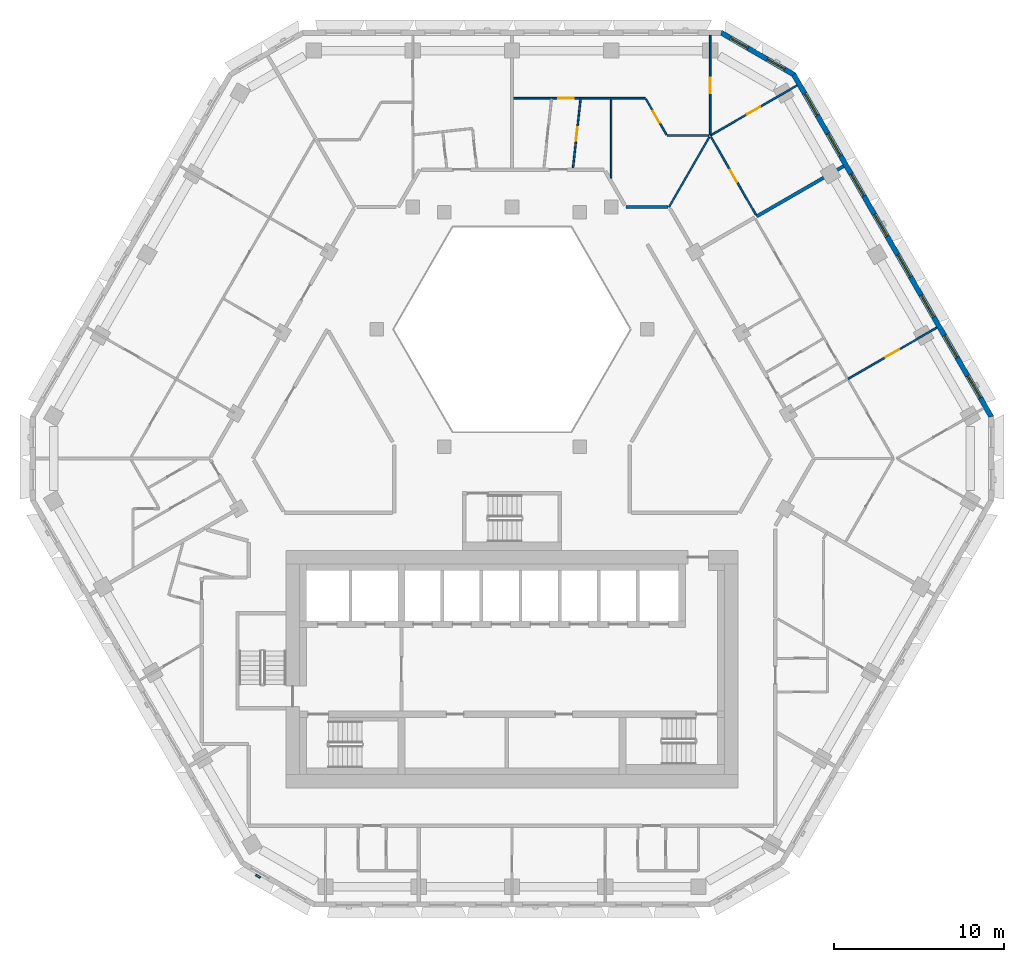
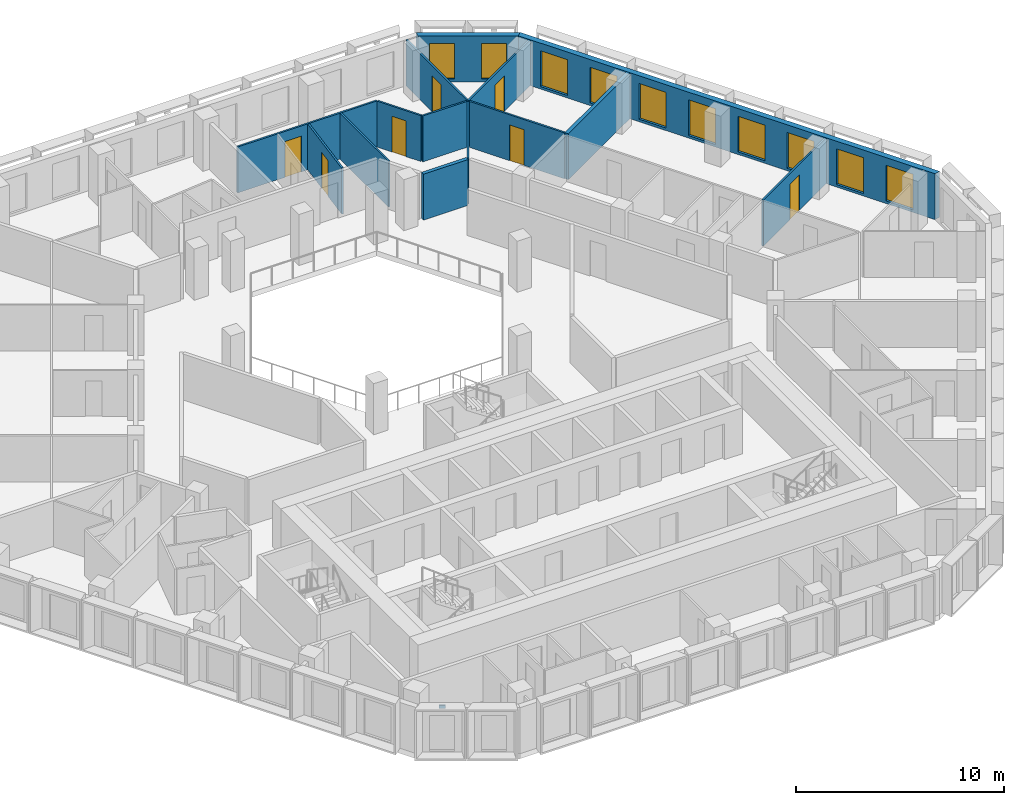
# One storey, part 9 of 17: 14 walls, 10 windows, 7 doors, 1 discrete accessory, 17 openings.
"""IFC4 building model written with IfcOpenShell, lengths in metres."""

from ifc_helpers import new_model, si_unit, direction, frame, frame_2d, origin, place, context, subcontext, project, spatial, polyline, rectangle, outline, extrude, source, transform, mapped, material, layer, layer_set, type_object, type_shapes, element, fill, save


model = new_model("IFC4")

# Units and contexts
model_context = context("Model", 3, precision=1e-05, world=origin(), true_north=direction((0.0, 1.0)))
body_context = subcontext(model_context, "Body", "Model", "MODEL_VIEW")
ifc_project = project(units=[si_unit("LENGTHUNIT", "METRE"), si_unit("AREAUNIT", "SQUARE_METRE"), si_unit("VOLUMEUNIT", "CUBIC_METRE"), si_unit("PLANEANGLEUNIT", "RADIAN"), si_unit("MASSUNIT", "GRAM", prefix="KILO")], contexts=[model_context])

# Site, building, storey
site_placement = place(None, origin())
site = spatial("IfcSite", under=ifc_project, at=site_placement, CompositionType="ELEMENT")
building_placement = place(site_placement, origin())
building = spatial("IfcBuilding", under=site, at=building_placement, Name="Beryl Residences", CompositionType="ELEMENT")
storey_placement = place(building_placement, frame((0.0, 0.0, 144.60009765625)))
storey = spatial("IfcBuildingStorey", under=building, at=storey_placement, Name="L44", CompositionType="ELEMENT", Elevation=144.60009765625)

# Wall, openings, windows
ifc_material_1 = material(Name="Composite metal panel with mineral wool insulation")
ifc_layer_1 = layer(ifc_material_1, 0.300048828125)
ifc_layer_set_1 = layer_set([ifc_layer_1], Name="ES1 pale metal composite panel wall 300 mm")
wall_type_1 = type_object("IfcWallType", Name="ES1 pale metal composite panel wall 300 mm", PredefinedType="SOLIDWALL", material=ifc_layer_set_1)
wall_1_placement = place(storey_placement, frame((28.218017578125, 2.824951171875, 0.0), z_axis=(0.0, 0.0, 1.0), x_axis=(-0.500020536353, 0.866013546791, 0.0)))
wall_1 = element("IfcWall", 1, at=wall_1_placement, inside=storey, type_object=wall_type_1, Name="ES1 external wall L44 NE", PredefinedType="SOLIDWALL", context=body_context, shape_type="SweptSolid", body=[
    extrude(outline(polyline([(0.0, -0.14990234375), (23.3251953125, -0.14990234375), (23.244873046875, 0.14990234375), (0.080322265625, 0.14990234375), (0.0, -0.14990234375)])), origin(), (0.0, 0.0, 1.0), 2.699951171875),
])
opening_1_placement = place(wall_1_placement, frame((1.31396484375, 0.0, 0.14990234375)))
opening_1 = element("IfcOpeningElement", 2, at=opening_1_placement, cuts=wall_1, Name="Opening W1", PredefinedType="OPENING", context=body_context, shape_type="SweptSolid", body=[
    extrude(rectangle(XDim=1.5, YDim=2.10009765625, at=frame_2d((0.75, 1.050048828125))), frame((0.0, 0.159912109375, 0.0), z_axis=(0.0, -1.0, 0.0), x_axis=(1.0, 0.0, 0.0)), (0.0, 0.0, 1.0), 0.320068359375),
])
opening_2_placement = place(wall_1_placement, frame((4.055908203125, 0.0, 0.14990234375)))
opening_2 = element("IfcOpeningElement", 3, at=opening_2_placement, cuts=wall_1, Name="Opening W1", PredefinedType="OPENING", context=body_context, shape_type="SweptSolid", body=[
    extrude(rectangle(XDim=1.5, YDim=2.10009765625, at=frame_2d((0.75, 1.050048828125))), frame((0.0, 0.159912109375, 0.0), z_axis=(0.0, -1.0, 0.0), x_axis=(1.0, 0.0, 0.0)), (0.0, 0.0, 1.0), 0.320068359375),
])
opening_3_placement = place(wall_1_placement, frame((6.798095703125, 0.0, 0.14990234375)))
opening_3 = element("IfcOpeningElement", 4, at=opening_3_placement, cuts=wall_1, Name="Opening W1", PredefinedType="OPENING", context=body_context, shape_type="SweptSolid", body=[
    extrude(rectangle(XDim=1.5, YDim=2.10009765625, at=frame_2d((0.75, 1.050048828125))), frame((0.0, 0.159912109375, 0.0), z_axis=(0.0, -1.0, 0.0), x_axis=(1.0, 0.0, 0.0)), (0.0, 0.0, 1.0), 0.320068359375),
])
opening_4_placement = place(wall_1_placement, frame((9.541015625, 0.0, 0.14990234375)))
opening_4 = element("IfcOpeningElement", 5, at=opening_4_placement, cuts=wall_1, Name="Opening W1", PredefinedType="OPENING", context=body_context, shape_type="SweptSolid", body=[
    extrude(rectangle(XDim=1.5, YDim=2.10009765625, at=frame_2d((0.75, 1.050048828125))), frame((0.0, 0.159912109375, 0.0), z_axis=(0.0, -1.0, 0.0), x_axis=(1.0, 0.0, 0.0)), (0.0, 0.0, 1.0), 0.320068359375),
])
opening_5_placement = place(wall_1_placement, frame((12.283935546875, 0.0, 0.14990234375)))
opening_5 = element("IfcOpeningElement", 6, at=opening_5_placement, cuts=wall_1, Name="Opening W1", PredefinedType="OPENING", context=body_context, shape_type="SweptSolid", body=[
    extrude(rectangle(XDim=1.5, YDim=2.10009765625, at=frame_2d((0.75, 1.050048828125))), frame((0.0, 0.159912109375, 0.0), z_axis=(0.0, -1.0, 0.0), x_axis=(1.0, 0.0, 0.0)), (0.0, 0.0, 1.0), 0.320068359375),
])
opening_6_placement = place(wall_1_placement, frame((15.027099609375, 0.0, 0.14990234375)))
opening_6 = element("IfcOpeningElement", 7, at=opening_6_placement, cuts=wall_1, Name="Opening W1", PredefinedType="OPENING", context=body_context, shape_type="SweptSolid", body=[
    extrude(rectangle(XDim=1.5, YDim=2.10009765625, at=frame_2d((0.75, 1.050048828125))), frame((0.0, 0.159912109375, 0.0), z_axis=(0.0, -1.0, 0.0), x_axis=(1.0, 0.0, 0.0)), (0.0, 0.0, 1.0), 0.320068359375),
])
opening_7_placement = place(wall_1_placement, frame((17.76904296875, 0.0, 0.14990234375)))
opening_7 = element("IfcOpeningElement", 8, at=opening_7_placement, cuts=wall_1, Name="Opening W1", PredefinedType="OPENING", context=body_context, shape_type="SweptSolid", body=[
    extrude(rectangle(XDim=1.5, YDim=2.10009765625, at=frame_2d((0.75, 1.050048828125))), frame((0.0, 0.159912109375, 0.0), z_axis=(0.0, -1.0, 0.0), x_axis=(1.0, 0.0, 0.0)), (0.0, 0.0, 1.0), 0.320068359375),
])
opening_8_placement = place(wall_1_placement, frame((20.510986328125, 0.0, 0.14990234375)))
opening_8 = element("IfcOpeningElement", 9, at=opening_8_placement, cuts=wall_1, Name="Opening W1", PredefinedType="OPENING", context=body_context, shape_type="SweptSolid", body=[
    extrude(rectangle(XDim=1.5, YDim=2.10009765625, at=frame_2d((0.75, 1.050048828125))), frame((0.0, 0.159912109375, 0.0), z_axis=(0.0, -1.0, 0.0), x_axis=(1.0, 0.0, 0.0)), (0.0, 0.0, 1.0), 0.320068359375),
])
ifc_material_2 = material(Name="Aluminium and clear glass", Category="aluminium")
window_type_1 = type_object("IfcWindowType", Name="W1 cell window 1500 x 2100 mm", PartitioningType="SINGLE_PANEL", PredefinedType="WINDOW", material=ifc_material_2)
window_1_placement = place(opening_1_placement, origin())
window_1 = element("IfcWindow", 10, at=window_1_placement, inside=storey, type_object=window_type_1, Name="W1 window L44 NE 1", OverallHeight=2.10009765625, OverallWidth=1.5, PartitioningType="SINGLE_PANEL", PredefinedType="WINDOW", context=body_context, shape_type="SweptSolid", body=[
    extrude(rectangle(XDim=1.5, YDim=2.10009765625, at=frame_2d((0.75, 1.050048828125))), frame((0.0, 0.030029296875, 0.0), z_axis=(0.0, -1.0, 0.0), x_axis=(1.0, 0.0, 0.0)), (0.0, 0.0, 1.0), 0.06005859375),
])
fill(opening_1, window_1)
window_2_placement = place(opening_2_placement, origin())
window_2 = element("IfcWindow", 11, at=window_2_placement, inside=storey, type_object=window_type_1, Name="W1 window L44 NE 2", OverallHeight=2.10009765625, OverallWidth=1.5, PartitioningType="SINGLE_PANEL", PredefinedType="WINDOW", context=body_context, shape_type="SweptSolid", body=[
    extrude(rectangle(XDim=1.5, YDim=2.10009765625, at=frame_2d((0.75, 1.050048828125))), frame((0.0, 0.030029296875, 0.0), z_axis=(0.0, -1.0, 0.0), x_axis=(1.0, 0.0, 0.0)), (0.0, 0.0, 1.0), 0.06005859375),
])
fill(opening_2, window_2)
window_3_placement = place(opening_3_placement, origin())
window_3 = element("IfcWindow", 12, at=window_3_placement, inside=storey, type_object=window_type_1, Name="W1 window L44 NE 3", OverallHeight=2.10009765625, OverallWidth=1.5, PartitioningType="SINGLE_PANEL", PredefinedType="WINDOW", context=body_context, shape_type="SweptSolid", body=[
    extrude(rectangle(XDim=1.5, YDim=2.10009765625, at=frame_2d((0.75, 1.050048828125))), frame((0.0, 0.030029296875, 0.0), z_axis=(0.0, -1.0, 0.0), x_axis=(1.0, 0.0, 0.0)), (0.0, 0.0, 1.0), 0.06005859375),
])
fill(opening_3, window_3)
window_4_placement = place(opening_4_placement, origin())
window_4 = element("IfcWindow", 13, at=window_4_placement, inside=storey, type_object=window_type_1, Name="W1 window L44 NE 4", OverallHeight=2.10009765625, OverallWidth=1.5, PartitioningType="SINGLE_PANEL", PredefinedType="WINDOW", context=body_context, shape_type="SweptSolid", body=[
    extrude(rectangle(XDim=1.5, YDim=2.10009765625, at=frame_2d((0.75, 1.050048828125))), frame((0.0, 0.030029296875, 0.0), z_axis=(0.0, -1.0, 0.0), x_axis=(1.0, 0.0, 0.0)), (0.0, 0.0, 1.0), 0.06005859375),
])
fill(opening_4, window_4)
window_5_placement = place(opening_5_placement, origin())
window_5 = element("IfcWindow", 14, at=window_5_placement, inside=storey, type_object=window_type_1, Name="W1 window L44 NE 5", OverallHeight=2.10009765625, OverallWidth=1.5, PartitioningType="SINGLE_PANEL", PredefinedType="WINDOW", context=body_context, shape_type="SweptSolid", body=[
    extrude(rectangle(XDim=1.5, YDim=2.10009765625, at=frame_2d((0.75, 1.050048828125))), frame((0.0, 0.030029296875, 0.0), z_axis=(0.0, -1.0, 0.0), x_axis=(1.0, 0.0, 0.0)), (0.0, 0.0, 1.0), 0.06005859375),
])
fill(opening_5, window_5)
window_6_placement = place(opening_6_placement, origin())
window_6 = element("IfcWindow", 15, at=window_6_placement, inside=storey, type_object=window_type_1, Name="W1 window L44 NE 6", OverallHeight=2.10009765625, OverallWidth=1.5, PartitioningType="SINGLE_PANEL", PredefinedType="WINDOW", context=body_context, shape_type="SweptSolid", body=[
    extrude(rectangle(XDim=1.5, YDim=2.10009765625, at=frame_2d((0.75, 1.050048828125))), frame((0.0, 0.030029296875, 0.0), z_axis=(0.0, -1.0, 0.0), x_axis=(1.0, 0.0, 0.0)), (0.0, 0.0, 1.0), 0.06005859375),
])
fill(opening_6, window_6)
window_7_placement = place(opening_7_placement, origin())
window_7 = element("IfcWindow", 16, at=window_7_placement, inside=storey, type_object=window_type_1, Name="W1 window L44 NE 7", OverallHeight=2.10009765625, OverallWidth=1.5, PartitioningType="SINGLE_PANEL", PredefinedType="WINDOW", context=body_context, shape_type="SweptSolid", body=[
    extrude(rectangle(XDim=1.5, YDim=2.10009765625, at=frame_2d((0.75, 1.050048828125))), frame((0.0, 0.030029296875, 0.0), z_axis=(0.0, -1.0, 0.0), x_axis=(1.0, 0.0, 0.0)), (0.0, 0.0, 1.0), 0.06005859375),
])
fill(opening_7, window_7)
window_8_placement = place(opening_8_placement, origin())
window_8 = element("IfcWindow", 17, at=window_8_placement, inside=storey, type_object=window_type_1, Name="W1 window L44 NE 8", OverallHeight=2.10009765625, OverallWidth=1.5, PartitioningType="SINGLE_PANEL", PredefinedType="WINDOW", context=body_context, shape_type="SweptSolid", body=[
    extrude(rectangle(XDim=1.5, YDim=2.10009765625, at=frame_2d((0.75, 1.050048828125))), frame((0.0, 0.030029296875, 0.0), z_axis=(0.0, -1.0, 0.0), x_axis=(1.0, 0.0, 0.0)), (0.0, 0.0, 1.0), 0.06005859375),
])
fill(opening_8, window_8)

wall_2_placement = place(storey_placement, frame((16.610107421875, 22.969970703125, 0.0), z_axis=(0.0, 0.0, 1.0), x_axis=(-0.866022959057, 0.500004234368, 0.0)))
wall_2 = element("IfcWall", 18, at=wall_2_placement, inside=storey, type_object=wall_type_1, Name="ES1 external wall L44 NE-N", PredefinedType="SOLIDWALL", context=body_context, shape_type="SweptSolid", body=[
    extrude(outline(polyline([(0.0, -0.14990234375), (5.0, -0.14990234375), (4.919677734375, 0.14990234375), (0.080322265625, 0.14990234375), (0.0, -0.14990234375)])), origin(), (0.0, 0.0, 1.0), 2.699951171875),
])
opening_9_placement = place(wall_2_placement, frame((0.64990234375, 0.0, 0.14990234375)))
opening_9 = element("IfcOpeningElement", 19, at=opening_9_placement, cuts=wall_2, Name="Opening W2", PredefinedType="OPENING", context=body_context, shape_type="SweptSolid", body=[
    extrude(rectangle(XDim=1.199951171875, YDim=2.10009765625, at=frame_2d((0.60009765625, 1.050048828125))), frame((0.0, 0.159912109375, 0.0), z_axis=(0.0, -1.0, 0.0), x_axis=(1.0, 0.0, 0.0)), (0.0, 0.0, 1.0), 0.320068359375),
])
opening_10_placement = place(wall_2_placement, frame((3.14990234375, 0.0, 0.14990234375)))
opening_10 = element("IfcOpeningElement", 20, at=opening_10_placement, cuts=wall_2, Name="Opening W2", PredefinedType="OPENING", context=body_context, shape_type="SweptSolid", body=[
    extrude(rectangle(XDim=1.199951171875, YDim=2.10009765625, at=frame_2d((0.60009765625, 1.050048828125))), frame((0.0, 0.159912109375, 0.0), z_axis=(0.0, -1.0, 0.0), x_axis=(1.0, 0.0, 0.0)), (0.0, 0.0, 1.0), 0.320068359375),
])
ifc_material_3 = material(Name="Aluminium and clear glass", Category="aluminium")
window_type_2 = type_object("IfcWindowType", Name="W2 chamfer window 1200 x 2100 mm", PartitioningType="SINGLE_PANEL", PredefinedType="WINDOW", material=ifc_material_3)
window_9_placement = place(opening_9_placement, origin())
window_9 = element("IfcWindow", 21, at=window_9_placement, inside=storey, type_object=window_type_2, Name="W2 window L44 NE-N 1", OverallHeight=2.10009765625, OverallWidth=1.199951171875, PartitioningType="SINGLE_PANEL", PredefinedType="WINDOW", context=body_context, shape_type="SweptSolid", body=[
    extrude(rectangle(XDim=1.199951171875, YDim=2.10009765625, at=frame_2d((0.60009765625, 1.050048828125))), frame((0.0, 0.030029296875, 0.0), z_axis=(0.0, -1.0, 0.0), x_axis=(1.0, 0.0, 0.0)), (0.0, 0.0, 1.0), 0.06005859375),
])
fill(opening_9, window_9)
window_10_placement = place(opening_10_placement, origin())
window_10 = element("IfcWindow", 22, at=window_10_placement, inside=storey, type_object=window_type_2, Name="W2 window L44 NE-N 2", OverallHeight=2.10009765625, OverallWidth=1.199951171875, PartitioningType="SINGLE_PANEL", PredefinedType="WINDOW", context=body_context, shape_type="SweptSolid", body=[
    extrude(rectangle(XDim=1.199951171875, YDim=2.10009765625, at=frame_2d((0.60009765625, 1.050048828125))), frame((0.0, 0.030029296875, 0.0), z_axis=(0.0, -1.0, 0.0), x_axis=(1.0, 0.0, 0.0)), (0.0, 0.0, 1.0), 0.06005859375),
])
fill(opening_10, window_10)

# Wall, opening, door
ifc_material_4 = material(Name="Gypsum board partition on steel studs", Category="steel")
ifc_layer_2 = layer(ifc_material_4, 0.10009765625)
ifc_layer_set_2 = layer_set([ifc_layer_2], Name="PT1 partition 100 mm gypsum board on steel studs")
wall_type_2 = type_object("IfcWallType", Name="PT1 partition 100 mm gypsum board on steel studs", PredefinedType="PARTITIONING", material=ifc_layer_set_2)
wall_3_placement = place(storey_placement, frame((7.881103515625, 21.550048828125, 0.0), z_axis=(0.0, 0.0, 1.0), x_axis=(0.499821239653, -0.866128586522, 0.0)))
wall_3 = element("IfcWall", 23, at=wall_3_placement, inside=storey, type_object=wall_type_2, Name="Wall PT1 L44 002", PredefinedType="PARTITIONING", context=body_context, shape_type="SweptSolid", body=[
    extrude(rectangle(XDim=2.4248046875, YDim=0.10009765625, at=frame_2d((1.21240234375, 0.0))), origin(), (0.0, 0.0, 1.0), 2.699951171875),
])
opening_11_placement = place(wall_3_placement, frame((0.81201171875, 0.0, 0.0)))
opening_11 = element("IfcOpeningElement", 24, at=opening_11_placement, cuts=wall_3, Name="Opening D1135", PredefinedType="OPENING", context=body_context, shape_type="SweptSolid", body=[
    extrude(rectangle(XDim=0.800048828125, YDim=2.10009765625, at=frame_2d((0.39990234375, 1.050048828125))), frame((0.0, 0.06005859375, 0.0), z_axis=(0.0, -1.0, 0.0), x_axis=(1.0, 0.0, 0.0)), (0.0, 0.0, 1.0), 0.1201171875),
])
ifc_material_5 = material(Name="Timber door leaf", Category="wood")
door_type_1 = type_object("IfcDoorType", Name="D3 bathroom door 800 x 2100 mm", OperationType="SINGLE_SWING_LEFT", PredefinedType="DOOR", material=ifc_material_5)
door_1_placement = place(opening_11_placement, origin())
door_1 = element("IfcDoor", 25, at=door_1_placement, inside=storey, type_object=door_type_1, Name="Door D1135 L44 001", OperationType="SINGLE_SWING_LEFT", OverallHeight=2.10009765625, OverallWidth=0.800048828125, PredefinedType="DOOR", context=body_context, shape_type="SweptSolid", body=[
    extrude(rectangle(XDim=0.800048828125, YDim=2.10009765625, at=frame_2d((0.39990234375, 1.050048828125))), frame((0.0, 0.02490234375, 0.0), z_axis=(0.0, -1.0, 0.0), x_axis=(1.0, 0.0, 0.0)), (0.0, 0.0, 1.0), 0.050048828125),
])
fill(opening_11, door_1)

wall_4_placement = place(storey_placement, frame((11.712890625, 19.31298828125, 0.0), z_axis=(0.0, 0.0, 1.0), x_axis=(0.499945064984, -0.866057118208, 0.0)))
wall_4 = element("IfcWall", 26, at=wall_4_placement, inside=storey, type_object=wall_type_2, Name="Wall PT1 L44 004", PredefinedType="PARTITIONING", context=body_context, shape_type="SweptSolid", body=[
    extrude(rectangle(XDim=5.28466796875, YDim=0.10009765625, at=frame_2d((2.642333984375, 0.0))), origin(), (0.0, 0.0, 1.0), 2.699951171875),
])
opening_12_placement = place(wall_4_placement, frame((2.241943359375, 0.0, 0.0)))
opening_12 = element("IfcOpeningElement", 27, at=opening_12_placement, cuts=wall_4, Name="Opening D1137", PredefinedType="OPENING", context=body_context, shape_type="SweptSolid", body=[
    extrude(rectangle(XDim=0.800048828125, YDim=2.10009765625, at=frame_2d((0.39990234375, 1.050048828125))), frame((0.0, 0.06005859375, 0.0), z_axis=(0.0, -1.0, 0.0), x_axis=(1.0, 0.0, 0.0)), (0.0, 0.0, 1.0), 0.1201171875),
])
door_2_placement = place(opening_12_placement, origin())
door_2 = element("IfcDoor", 28, at=door_2_placement, inside=storey, type_object=door_type_1, Name="Door D1137 L44 001", OperationType="SINGLE_SWING_LEFT", OverallHeight=2.10009765625, OverallWidth=0.800048828125, PredefinedType="DOOR", context=body_context, shape_type="SweptSolid", body=[
    extrude(rectangle(XDim=0.800048828125, YDim=2.10009765625, at=frame_2d((0.39990234375, 1.050048828125))), frame((0.0, 0.02490234375, 0.0), z_axis=(0.0, -1.0, 0.0), x_axis=(1.0, 0.0, 0.0)), (0.0, 0.0, 1.0), 0.050048828125),
])
fill(opening_12, door_2)

# Wall
wall_5_placement = place(storey_placement, frame((9.1220703125, 19.39990234375, 0.0), z_axis=(0.0, 0.0, 1.0), x_axis=(1.0, 0.0, 0.0)))
element("IfcWall", 29, at=wall_5_placement, inside=storey, type_object=wall_type_2, Name="Wall PT1 L44 026", PredefinedType="PARTITIONING", context=body_context, shape_type="SweptSolid", body=[
    extrude(rectangle(XDim=2.43994140625, YDim=0.10009765625, at=frame_2d((1.219970703125, 0.0))), origin(), (0.0, 0.0, 1.0), 2.699951171875),
])

# Wall, opening, door
wall_6_placement = place(storey_placement, frame((0.10009765625, 21.60009765625, 0.0), z_axis=(0.0, 0.0, 1.0), x_axis=(1.0, 0.0, 0.0)))
wall_6 = element("IfcWall", 30, at=wall_6_placement, inside=storey, type_object=wall_type_2, Name="Wall PT1 L44 028", PredefinedType="PARTITIONING", context=body_context, shape_type="SweptSolid", body=[
    extrude(rectangle(XDim=7.751953125, YDim=0.10009765625, at=frame_2d((3.8759765625, 0.0))), origin(), (0.0, 0.0, 1.0), 2.699951171875),
])
opening_13_placement = place(wall_6_placement, frame((2.634033203125, 0.0, 0.0)))
opening_13 = element("IfcOpeningElement", 31, at=opening_13_placement, cuts=wall_6, Name="Opening D1133", PredefinedType="OPENING", context=body_context, shape_type="SweptSolid", body=[
    extrude(rectangle(XDim=0.89990234375, YDim=2.10009765625, at=frame_2d((0.449951171875, 1.050048828125))), frame((0.0, 0.06005859375, 0.0), z_axis=(0.0, -1.0, 0.0), x_axis=(1.0, 0.0, 0.0)), (0.0, 0.0, 1.0), 0.1201171875),
])
ifc_material_6 = material(Name="Timber door leaf", Category="wood")
door_type_2 = type_object("IfcDoorType", Name="D2 room door 900 x 2100 mm", OperationType="SINGLE_SWING_LEFT", PredefinedType="DOOR", material=ifc_material_6)
door_3_placement = place(opening_13_placement, origin())
door_3 = element("IfcDoor", 32, at=door_3_placement, inside=storey, type_object=door_type_2, Name="Door D1133 L44 001", OperationType="SINGLE_SWING_LEFT", OverallHeight=2.10009765625, OverallWidth=0.89990234375, PredefinedType="DOOR", context=body_context, shape_type="SweptSolid", body=[
    extrude(rectangle(XDim=0.89990234375, YDim=2.10009765625, at=frame_2d((0.449951171875, 1.050048828125))), frame((0.0, 0.02490234375, 0.0), z_axis=(0.0, -1.0, 0.0), x_axis=(1.0, 0.0, 0.0)), (0.0, 0.0, 1.0), 0.050048828125),
])
fill(opening_13, door_3)

# Wall
wall_7_placement = place(storey_placement, frame((9.238037109375, 15.199951171875, 0.0), z_axis=(0.0, 0.0, 1.0), x_axis=(0.499988022762, 0.866032318735, 0.0)))
element("IfcWall", 33, at=wall_7_placement, inside=storey, type_object=wall_type_2, Name="Wall PT1 L44 029", PredefinedType="PARTITIONING", context=body_context, shape_type="SweptSolid", body=[
    extrude(rectangle(XDim=4.748046875, YDim=0.10009765625, at=frame_2d((2.3740234375, 0.0))), origin(), (0.0, 0.0, 1.0), 2.699951171875),
])

# Wall, opening, door
wall_8_placement = place(storey_placement, frame((3.590087890625, 17.5, 0.0), z_axis=(0.0, 0.0, 1.0), x_axis=(0.108938463119, 0.994048495423, 0.0)))
wall_8 = element("IfcWall", 34, at=wall_8_placement, inside=storey, type_object=wall_type_2, Name="Wall PT1 L44 036", PredefinedType="PARTITIONING", context=body_context, shape_type="SweptSolid", body=[
    extrude(rectangle(XDim=4.07421875, YDim=0.10009765625, at=frame_2d((2.037109375, 0.0))), origin(), (0.0, 0.0, 1.0), 2.699951171875),
])
opening_14_placement = place(wall_8_placement, frame((1.612060546875, 0.0, 0.0)))
opening_14 = element("IfcOpeningElement", 35, at=opening_14_placement, cuts=wall_8, Name="Opening D1131", PredefinedType="OPENING", context=body_context, shape_type="SweptSolid", body=[
    extrude(rectangle(XDim=0.800048828125, YDim=2.10009765625, at=frame_2d((0.39990234375, 1.050048828125))), frame((0.0, 0.06005859375, 0.0), z_axis=(0.0, -1.0, 0.0), x_axis=(1.0, 0.0, 0.0)), (0.0, 0.0, 1.0), 0.1201171875),
])
door_4_placement = place(opening_14_placement, origin())
door_4 = element("IfcDoor", 36, at=door_4_placement, inside=storey, type_object=door_type_1, Name="Door D1131 L44 001", OperationType="SINGLE_SWING_LEFT", OverallHeight=2.10009765625, OverallWidth=0.800048828125, PredefinedType="DOOR", context=body_context, shape_type="SweptSolid", body=[
    extrude(rectangle(XDim=0.800048828125, YDim=2.10009765625, at=frame_2d((0.39990234375, 1.050048828125))), frame((0.0, 0.02490234375, 0.0), z_axis=(0.0, -1.0, 0.0), x_axis=(1.0, 0.0, 0.0)), (0.0, 0.0, 1.0), 0.050048828125),
])
fill(opening_14, door_4)

# Wall
wall_9_placement = place(storey_placement, frame((5.8310546875, 16.89990234375, 0.0), z_axis=(0.0, 0.0, 1.0), x_axis=(0.0, 1.0, 0.0)))
element("IfcWall", 37, at=wall_9_placement, inside=storey, type_object=wall_type_2, Name="Wall PT1 L44 039", PredefinedType="PARTITIONING", context=body_context, shape_type="SweptSolid", body=[
    extrude(rectangle(XDim=4.650146484375, YDim=0.10009765625, at=frame_2d((2.3251953125, 0.0))), origin(), (0.0, 0.0, 1.0), 2.699951171875),
])

# Wall, opening, door
wall_10_placement = place(storey_placement, frame((11.662109375, 19.4560546875, 0.0), z_axis=(0.0, 0.0, 1.0), x_axis=(0.0, 1.0, 0.0)))
wall_10 = element("IfcWall", 38, at=wall_10_placement, inside=storey, type_object=wall_type_2, Name="Wall PT1 L44 042", PredefinedType="PARTITIONING", context=body_context, shape_type="SweptSolid", body=[
    extrude(rectangle(XDim=5.843994140625, YDim=0.10009765625, at=frame_2d((2.921875, 0.0))), origin(), (0.0, 0.0, 1.0), 2.699951171875),
])
opening_15_placement = place(wall_10_placement, frame((2.443115234375, 0.0, 0.0)))
opening_15 = element("IfcOpeningElement", 39, at=opening_15_placement, cuts=wall_10, Name="Opening D1134", PredefinedType="OPENING", context=body_context, shape_type="SweptSolid", body=[
    extrude(rectangle(XDim=0.89990234375, YDim=2.10009765625, at=frame_2d((0.449951171875, 1.050048828125))), frame((0.0, 0.06005859375, 0.0), z_axis=(0.0, -1.0, 0.0), x_axis=(1.0, 0.0, 0.0)), (0.0, 0.0, 1.0), 0.1201171875),
])
door_5_placement = place(opening_15_placement, origin())
door_5 = element("IfcDoor", 40, at=door_5_placement, inside=storey, type_object=door_type_2, Name="Door D1134 L44 001", OperationType="SINGLE_SWING_RIGHT", OverallHeight=2.10009765625, OverallWidth=0.89990234375, PredefinedType="DOOR", context=body_context, shape_type="SweptSolid", body=[
    extrude(rectangle(XDim=0.89990234375, YDim=2.10009765625, at=frame_2d((0.449951171875, 1.050048828125))), frame((0.0, 0.02490234375, 0.0), z_axis=(0.0, -1.0, 0.0), x_axis=(1.0, 0.0, 0.0)), (0.0, 0.0, 1.0), 0.050048828125),
])
fill(opening_15, door_5)

wall_11_placement = place(storey_placement, frame((11.6630859375, 19.39990234375, 0.0), z_axis=(0.0, 0.0, 1.0), x_axis=(0.865941558533, 0.500145196124, 0.0)))
wall_11 = element("IfcWall", 41, at=wall_11_placement, inside=storey, type_object=wall_type_2, Name="Wall PT1 L44 056", PredefinedType="PARTITIONING", context=body_context, shape_type="SweptSolid", body=[
    extrude(rectangle(XDim=5.898681640625, YDim=0.10009765625, at=frame_2d((2.94921875, 0.0))), origin(), (0.0, 0.0, 1.0), 2.699951171875),
])
opening_16_placement = place(wall_11_placement, frame((2.4990234375, 0.0, 0.0)))
opening_16 = element("IfcOpeningElement", 42, at=opening_16_placement, cuts=wall_11, Name="Opening D1136", PredefinedType="OPENING", context=body_context, shape_type="SweptSolid", body=[
    extrude(rectangle(XDim=0.89990234375, YDim=2.10009765625, at=frame_2d((0.449951171875, 1.050048828125))), frame((0.0, 0.06005859375, 0.0), z_axis=(0.0, -1.0, 0.0), x_axis=(1.0, 0.0, 0.0)), (0.0, 0.0, 1.0), 0.1201171875),
])
door_6_placement = place(opening_16_placement, origin())
door_6 = element("IfcDoor", 43, at=door_6_placement, inside=storey, type_object=door_type_2, Name="Door D1136 L44 001", OperationType="SINGLE_SWING_RIGHT", OverallHeight=2.10009765625, OverallWidth=0.89990234375, PredefinedType="DOOR", context=body_context, shape_type="SweptSolid", body=[
    extrude(rectangle(XDim=0.89990234375, YDim=2.10009765625, at=frame_2d((0.449951171875, 1.050048828125))), frame((0.0, 0.02490234375, 0.0), z_axis=(0.0, -1.0, 0.0), x_axis=(1.0, 0.0, 0.0)), (0.0, 0.0, 1.0), 0.050048828125),
])
fill(opening_16, door_6)

wall_12_placement = place(storey_placement, frame((19.758056640625, 5.073974609375, 0.0), z_axis=(0.0, 0.0, 1.0), x_axis=(0.866007554612, 0.500030914399, 0.0)))
wall_12 = element("IfcWall", 44, at=wall_12_placement, inside=storey, type_object=wall_type_2, Name="Wall PT1 L44 059", PredefinedType="PARTITIONING", context=body_context, shape_type="SweptSolid", body=[
    extrude(rectangle(XDim=6.0517578125, YDim=0.10009765625, at=frame_2d((3.02587890625, 0.0))), origin(), (0.0, 0.0, 1.0), 2.699951171875),
])
opening_17_placement = place(wall_12_placement, frame((2.575927734375, 0.0, 0.0)))
opening_17 = element("IfcOpeningElement", 45, at=opening_17_placement, cuts=wall_12, Name="Opening D1124", PredefinedType="OPENING", context=body_context, shape_type="SweptSolid", body=[
    extrude(rectangle(XDim=0.89990234375, YDim=2.10009765625, at=frame_2d((0.449951171875, 1.050048828125))), frame((0.0, 0.06005859375, 0.0), z_axis=(0.0, -1.0, 0.0), x_axis=(1.0, 0.0, 0.0)), (0.0, 0.0, 1.0), 0.1201171875),
])
door_7_placement = place(opening_17_placement, origin())
door_7 = element("IfcDoor", 46, at=door_7_placement, inside=storey, type_object=door_type_2, Name="Door D1124 L44 001", OperationType="SINGLE_SWING_RIGHT", OverallHeight=2.10009765625, OverallWidth=0.89990234375, PredefinedType="DOOR", context=body_context, shape_type="SweptSolid", body=[
    extrude(rectangle(XDim=0.89990234375, YDim=2.10009765625, at=frame_2d((0.449951171875, 1.050048828125))), frame((0.0, 0.02490234375, 0.0), z_axis=(0.0, -1.0, 0.0), x_axis=(1.0, 0.0, 0.0)), (0.0, 0.0, 1.0), 0.050048828125),
])
fill(opening_17, door_7)

# Walls
ifc_material_7 = material(Name="Acoustic double stud gypsum board wall")
ifc_layer_3 = layer(ifc_material_7, 0.199951171875)
ifc_layer_set_3 = layer_set([ifc_layer_3], Name="PT3 party wall 200 mm acoustic double stud")
wall_type_3 = type_object("IfcWallType", Name="PT3 party wall 200 mm acoustic double stud", PredefinedType="PARTITIONING", material=ifc_layer_set_3)
wall_13_placement = place(storey_placement, frame((14.387939453125, 14.639892578125, 0.0), z_axis=(0.0, 0.0, 1.0), x_axis=(0.866044090212, 0.499967632761, 0.0)))
element("IfcWall", 47, at=wall_13_placement, inside=storey, type_object=wall_type_3, Name="Wall PT3 L44 012", PredefinedType="PARTITIONING", context=body_context, shape_type="SweptSolid", body=[
    extrude(rectangle(XDim=5.9189453125, YDim=0.199951171875, at=frame_2d((2.95947265625, 0.0))), origin(), (0.0, 0.0, 1.0), 2.699951171875),
])
ifc_material_8 = material(Name="Double stud gypsum board wall")
ifc_layer_4 = layer(ifc_material_8, 0.199951171875)
ifc_layer_set_4 = layer_set([ifc_layer_4], Name="PT4 corridor wall 200 mm double stud")
wall_type_4 = type_object("IfcWallType", Name="PT4 corridor wall 200 mm double stud", PredefinedType="PARTITIONING", material=ifc_layer_set_4)
wall_14_placement = place(storey_placement, frame((6.697021484375, 15.199951171875, 0.0), z_axis=(0.0, 0.0, 1.0), x_axis=(1.0, 0.0, 0.0)))
element("IfcWall", 48, at=wall_14_placement, inside=storey, type_object=wall_type_4, Name="Wall PT4 L44 016", PredefinedType="PARTITIONING", context=body_context, shape_type="SweptSolid", body=[
    extrude(rectangle(XDim=2.48291015625, YDim=0.199951171875, at=frame_2d((1.241455078125, 0.0))), origin(), (0.0, 0.0, 1.0), 2.699951171875),
])

# Discrete accessory
ifc_material_9 = material(Name="Steel S355", Category="steel")
discrete_accessory_type = type_object("IfcDiscreteAccessoryType", Name="BR1 frame bracket 300 x 120 x 150 mm", PredefinedType="BRACKET", material=ifc_material_9)
shared_shape = source(origin(), body_context, "Body", "SweptSolid", [
    extrude(outline(polyline([(-0.14990234375, 0.0), (0.14990234375, 0.0), (0.14990234375, 0.1201171875), (-0.14990234375, 0.1201171875), (-0.14990234375, 0.0)])), origin(), (0.0, 0.0, 1.0), 0.14990234375),
])
type_shapes(discrete_accessory_type, [shared_shape])
discrete_accessory_placement = place(storey_placement, frame((-14.909912109375, -24.125, 2.75), z_axis=(0.0, 0.0, 1.0), x_axis=(-0.866025403784, 0.5, 0.0)))
element("IfcDiscreteAccessory", 49, at=discrete_accessory_placement, inside=storey, type_object=discrete_accessory_type, Name="BR1 bracket L44 SW-S 1", PredefinedType="BRACKET", context=body_context, shape_type="MappedRepresentation", body=[
    mapped(shared_shape, transform((0.0, 0.0, 0.0))),
])

save(model, "model.ifc")
